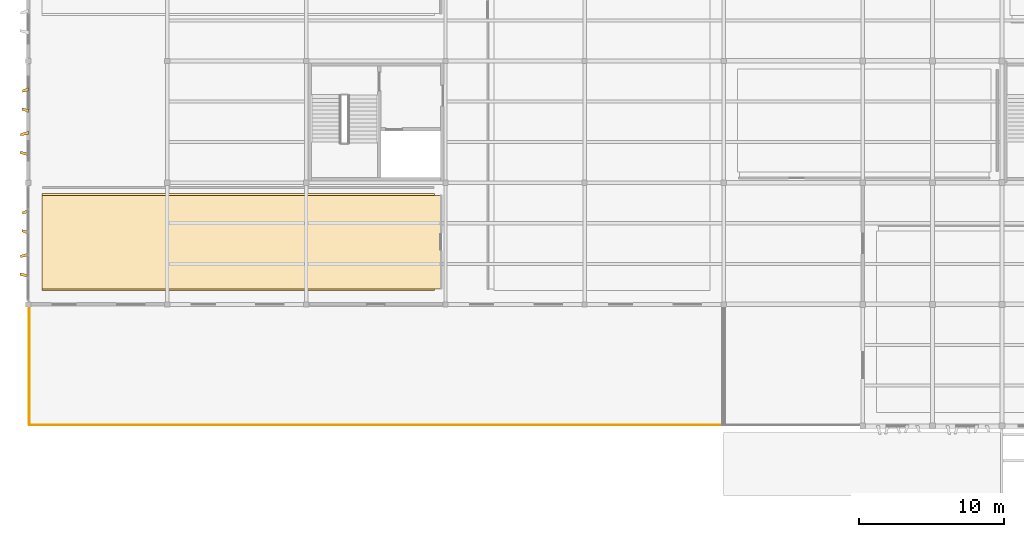
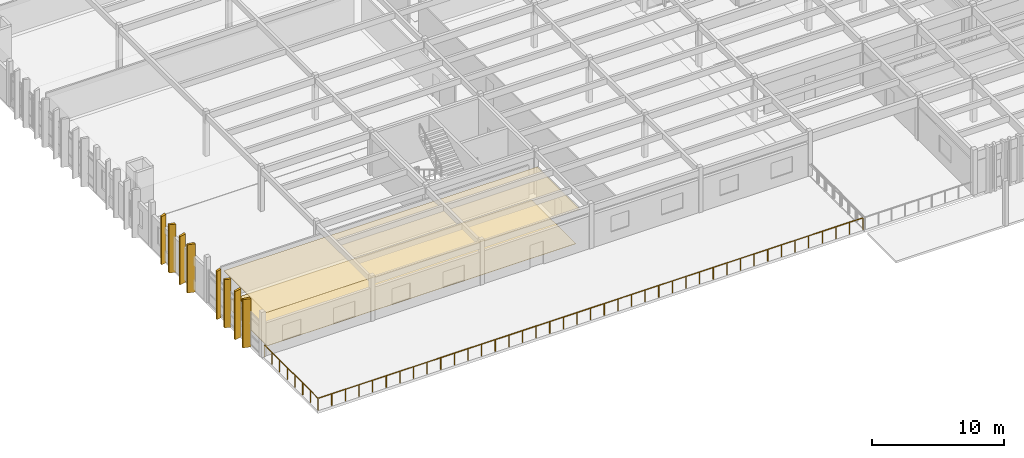
# One storey, part 49 of 61: 10 coverings, 2 railings.
"""IFC4 building model written with IfcOpenShell, lengths in metres."""

from ifc_helpers import new_model, si_unit, direction, frame, origin, origin_2d, place, context, subcontext, project, spatial, polyline, circle, outline, extrude, material, layer, layer_set, type_object, element, save


model = new_model("IFC4")

# Units and contexts
model_context = context("Model", 3, precision=1e-05, world=origin(), true_north=direction((0.0, 1.0)))
body_context = subcontext(model_context, "Body", "Model", "MODEL_VIEW")
ifc_project = project(units=[si_unit("LENGTHUNIT", "METRE"), si_unit("AREAUNIT", "SQUARE_METRE"), si_unit("VOLUMEUNIT", "CUBIC_METRE"), si_unit("PLANEANGLEUNIT", "RADIAN"), si_unit("MASSUNIT", "GRAM", prefix="KILO")], contexts=[model_context])

# Site, building, storey
site_placement = place(None, origin())
site = spatial("IfcSite", under=ifc_project, at=site_placement, CompositionType="ELEMENT")
building_placement = place(site_placement, origin())
building = spatial("IfcBuilding", under=site, at=building_placement, Name="Kolvemor Railside Polytechnic", CompositionType="ELEMENT")
storey_placement = place(building_placement, frame((0.0, 0.0, 10.199951171875)))
storey = spatial("IfcBuildingStorey", under=building, at=storey_placement, Name="L02", CompositionType="ELEMENT", Elevation=10.199951171875)

# Coverings
ifc_material_1 = material(Name="Perforated acoustic mineral-fibre and timber-slat ceiling", Category="wood")
ifc_layer_1 = layer(ifc_material_1, 0.034912109375, Name="COV-CEIL-3")
ifc_layer_set_1 = layer_set([ifc_layer_1], Name="Perforated acoustic mineral-fibre and timber-slat ceiling")
covering_type_1 = type_object("IfcCoveringType", Name="COV-CEIL-3", PredefinedType="CEILING", material=ifc_layer_set_1)
covering_1_placement = place(storey_placement, frame((0.0, 0.0, 2.9951171875)))
element("IfcCovering", 1, at=covering_1_placement, inside=storey, type_object=covering_type_1, Name="Seminar Room 201 Acoustic Ceiling", PredefinedType="CEILING", context=body_context, shape_type="SweptSolid", body=[
    extrude(outline(polyline([(0.949951171875, 14.280029296875), (28.47998046875, 14.280029296875), (28.47998046875, 20.719970703125), (0.949951171875, 20.719970703125), (0.949951171875, 14.280029296875)])), origin(), (0.0, 0.0, 1.0), 0.034912109375),
])
ifc_material_2 = material(Name="Champagne-bronze PVDF-anodised marine aluminium 5052-H32", Category="aluminium")
ifc_layer_2 = layer(ifc_material_2, 0.179931640625, Name="COV-FIN-CHAMP")
ifc_layer_set_2 = layer_set([ifc_layer_2], Name="Champagne-bronze PVDF-anodised marine aluminium 5052-H32")
covering_type_2 = type_object("IfcCoveringType", Name="COV-FIN-CHAMP", PredefinedType="CLADDING", material=ifc_layer_set_2)
covering_2_placement = place(storey_placement, frame((0.0, 0.0, -0.280029296875)))
element("IfcCovering", 2, at=covering_2_placement, inside=storey, type_object=covering_type_2, Name="Pleated Solar Fin L02-0076", PredefinedType="CLADDING", context=body_context, shape_type="SweptSolid", body=[
    extrude(outline(polyline([(0.034912109375, 15.034912109375), (0.034912109375, 15.264892578125), (-0.56396484375, 15.3701171875), (-0.56396484375, 15.2099609375), (0.034912109375, 15.034912109375)])), origin(), (0.0, 0.0, 1.0), 4.47998046875),
])
covering_3_placement = place(storey_placement, frame((0.0, 0.0, -0.280029296875)))
element("IfcCovering", 3, at=covering_3_placement, inside=storey, type_object=covering_type_2, Name="Pleated Solar Fin L02-0077", PredefinedType="CLADDING", context=body_context, shape_type="SweptSolid", body=[
    extrude(outline(polyline([(0.034912109375, 16.534912109375), (0.034912109375, 16.764892578125), (-0.528076171875, 16.590087890625), (-0.528076171875, 16.429931640625), (0.034912109375, 16.534912109375)])), origin(), (0.0, 0.0, 1.0), 4.47998046875),
])
covering_4_placement = place(storey_placement, frame((0.0, 0.0, -0.280029296875)))
element("IfcCovering", 4, at=covering_4_placement, inside=storey, type_object=covering_type_2, Name="Pleated Solar Fin L02-0078", PredefinedType="CLADDING", context=body_context, shape_type="SweptSolid", body=[
    extrude(outline(polyline([(0.034912109375, 18.034912109375), (0.034912109375, 18.264892578125), (-0.44189453125, 18.3701171875), (-0.44189453125, 18.2099609375), (0.034912109375, 18.034912109375)])), origin(), (0.0, 0.0, 1.0), 4.47998046875),
])
covering_5_placement = place(storey_placement, frame((0.0, 0.0, -0.280029296875)))
element("IfcCovering", 5, at=covering_5_placement, inside=storey, type_object=covering_type_2, Name="Pleated Solar Fin L02-0079", PredefinedType="CLADDING", context=body_context, shape_type="SweptSolid", body=[
    extrude(outline(polyline([(0.034912109375, 19.534912109375), (0.034912109375, 19.764892578125), (-0.406005859375, 19.590087890625), (-0.406005859375, 19.429931640625), (0.034912109375, 19.534912109375)])), origin(), (0.0, 0.0, 1.0), 4.47998046875),
])
covering_6_placement = place(storey_placement, frame((0.0, 0.0, -0.280029296875)))
element("IfcCovering", 6, at=covering_6_placement, inside=storey, type_object=covering_type_2, Name="Pleated Solar Fin L02-0101", PredefinedType="CLADDING", context=body_context, shape_type="SweptSolid", body=[
    extrude(outline(polyline([(0.034912109375, 23.43505859375), (0.034912109375, 23.6650390625), (-0.56396484375, 23.77001953125), (-0.56396484375, 23.610107421875), (0.034912109375, 23.43505859375)])), origin(), (0.0, 0.0, 1.0), 4.47998046875),
])
covering_7_placement = place(storey_placement, frame((0.0, 0.0, -0.280029296875)))
element("IfcCovering", 7, at=covering_7_placement, inside=storey, type_object=covering_type_2, Name="Pleated Solar Fin L02-0102", PredefinedType="CLADDING", context=body_context, shape_type="SweptSolid", body=[
    extrude(outline(polyline([(0.034912109375, 24.93505859375), (0.034912109375, 25.1650390625), (-0.528076171875, 24.989990234375), (-0.528076171875, 24.830078125), (0.034912109375, 24.93505859375)])), origin(), (0.0, 0.0, 1.0), 4.47998046875),
])
covering_8_placement = place(storey_placement, frame((0.0, 0.0, -0.280029296875)))
element("IfcCovering", 8, at=covering_8_placement, inside=storey, type_object=covering_type_2, Name="Pleated Solar Fin L02-0103", PredefinedType="CLADDING", context=body_context, shape_type="SweptSolid", body=[
    extrude(outline(polyline([(0.034912109375, 26.43505859375), (0.034912109375, 26.6650390625), (-0.44189453125, 26.77001953125), (-0.44189453125, 26.610107421875), (0.034912109375, 26.43505859375)])), origin(), (0.0, 0.0, 1.0), 4.47998046875),
])
covering_9_placement = place(storey_placement, frame((0.0, 0.0, -0.280029296875)))
element("IfcCovering", 9, at=covering_9_placement, inside=storey, type_object=covering_type_2, Name="Pleated Solar Fin L02-0104", PredefinedType="CLADDING", context=body_context, shape_type="SweptSolid", body=[
    extrude(outline(polyline([(0.034912109375, 27.93505859375), (0.034912109375, 28.1650390625), (-0.406005859375, 27.989990234375), (-0.406005859375, 27.830078125), (0.034912109375, 27.93505859375)])), origin(), (0.0, 0.0, 1.0), 4.47998046875),
])
ifc_material_3 = material(Name="Polished coral-aggregate terrazzo and laboratory epoxy flooring")
ifc_layer_3 = layer(ifc_material_3, 0.030029296875, Name="COV-FLR-3")
ifc_layer_set_3 = layer_set([ifc_layer_3], Name="Polished coral-aggregate terrazzo and laboratory epoxy flooring")
covering_type_3 = type_object("IfcCoveringType", Name="COV-FLR-3", PredefinedType="FLOORING", material=ifc_layer_set_3)
covering_10_placement = place(storey_placement, origin())
element("IfcCovering", 10, at=covering_10_placement, inside=storey, type_object=covering_type_3, Name="Seminar Room 201 Floor Finish", PredefinedType="FLOORING", context=body_context, shape_type="SweptSolid", body=[
    extrude(outline(polyline([(0.949951171875, 14.14990234375), (28.050048828125, 14.14990234375), (28.050048828125, 20.85009765625), (0.949951171875, 20.85009765625), (0.949951171875, 14.14990234375)])), origin(), (0.0, 0.0, 1.0), 0.030029296875),
])

# Railings
ifc_material_4 = material(Name="AISI 316 marine stainless-steel balustrade guard", Category="steel")
railing_type = type_object("IfcRailingType", Name="RLG-GUARD-1120", PredefinedType="BALUSTRADE", material=ifc_material_4)
railing_1_placement = place(storey_placement, frame((0.080078125, 4.8798828125, 0.0)))
element("IfcRailing", 11, at=railing_1_placement, inside=storey, type_object=railing_type, Name="Corner Study Terrace V3-S S Guard GR-054", PredefinedType="BALUSTRADE", context=body_context, shape_type="SweptSolid", body=[
    extrude(circle(Radius=0.02392578125, at=origin_2d()), frame((0.054931640625, 0.0, 1.09619140625), z_axis=(1.0, 0.0, 0.0), x_axis=(0.0, 1.0, 0.0)), (0.0, 0.0, 1.0), 47.729736328125),
    extrude(circle(Radius=0.02099609375, at=origin_2d()), origin(), (0.0, 0.0, 1.0), 1.05712890625),
    extrude(circle(Radius=0.02099609375, at=origin_2d()), frame((1.196044921875, 0.0, 0.0)), (0.0, 0.0, 1.0), 1.05712890625),
    extrude(circle(Radius=0.02099609375, at=origin_2d()), frame((2.39208984375, 0.0, 0.0)), (0.0, 0.0, 1.0), 1.05712890625),
    extrude(circle(Radius=0.02099609375, at=origin_2d()), frame((3.587890625, 0.0, 0.0)), (0.0, 0.0, 1.0), 1.05712890625),
    extrude(circle(Radius=0.02099609375, at=origin_2d()), frame((4.783935546875, 0.0, 0.0)), (0.0, 0.0, 1.0), 1.05712890625),
    extrude(circle(Radius=0.02099609375, at=origin_2d()), frame((5.97998046875, 0.0, 0.0)), (0.0, 0.0, 1.0), 1.05712890625),
    extrude(circle(Radius=0.02099609375, at=origin_2d()), frame((7.176025390625, 0.0, 0.0)), (0.0, 0.0, 1.0), 1.05712890625),
    extrude(circle(Radius=0.02099609375, at=origin_2d()), frame((8.3720703125, 0.0, 0.0)), (0.0, 0.0, 1.0), 1.05712890625),
    extrude(circle(Radius=0.02099609375, at=origin_2d()), frame((9.56787109375, 0.0, 0.0)), (0.0, 0.0, 1.0), 1.05712890625),
    extrude(circle(Radius=0.02099609375, at=origin_2d()), frame((10.763916015625, 0.0, 0.0)), (0.0, 0.0, 1.0), 1.05712890625),
    extrude(circle(Radius=0.02099609375, at=origin_2d()), frame((11.9599609375, 0.0, 0.0)), (0.0, 0.0, 1.0), 1.05712890625),
    extrude(circle(Radius=0.02099609375, at=origin_2d()), frame((13.156005859375, 0.0, 0.0)), (0.0, 0.0, 1.0), 1.05712890625),
    extrude(circle(Radius=0.02099609375, at=origin_2d()), frame((14.35205078125, 0.0, 0.0)), (0.0, 0.0, 1.0), 1.05712890625),
    extrude(circle(Radius=0.02099609375, at=origin_2d()), frame((15.5478515625, 0.0, 0.0)), (0.0, 0.0, 1.0), 1.05712890625),
    extrude(circle(Radius=0.02099609375, at=origin_2d()), frame((16.743896484375, 0.0, 0.0)), (0.0, 0.0, 1.0), 1.05712890625),
    extrude(circle(Radius=0.02099609375, at=origin_2d()), frame((17.93994140625, 0.0, 0.0)), (0.0, 0.0, 1.0), 1.05712890625),
    extrude(circle(Radius=0.02099609375, at=origin_2d()), frame((19.135986328125, 0.0, 0.0)), (0.0, 0.0, 1.0), 1.05712890625),
    extrude(circle(Radius=0.02099609375, at=origin_2d()), frame((20.33203125, 0.0, 0.0)), (0.0, 0.0, 1.0), 1.05712890625),
    extrude(circle(Radius=0.02099609375, at=origin_2d()), frame((21.52783203125, 0.0, 0.0)), (0.0, 0.0, 1.0), 1.05712890625),
    extrude(circle(Radius=0.02099609375, at=origin_2d()), frame((22.723876953125, 0.0, 0.0)), (0.0, 0.0, 1.0), 1.05712890625),
    extrude(circle(Radius=0.02099609375, at=origin_2d()), frame((23.919921875, 0.0, 0.0)), (0.0, 0.0, 1.0), 1.05712890625),
    extrude(circle(Radius=0.02099609375, at=origin_2d()), frame((25.115966796875, 0.0, 0.0)), (0.0, 0.0, 1.0), 1.05712890625),
    extrude(circle(Radius=0.02099609375, at=origin_2d()), frame((26.31201171875, 0.0, 0.0)), (0.0, 0.0, 1.0), 1.05712890625),
    extrude(circle(Radius=0.02099609375, at=origin_2d()), frame((27.5078125, 0.0, 0.0)), (0.0, 0.0, 1.0), 1.05712890625),
    extrude(circle(Radius=0.02099609375, at=origin_2d()), frame((28.703857421875, 0.0, 0.0)), (0.0, 0.0, 1.0), 1.05712890625),
    extrude(circle(Radius=0.02099609375, at=origin_2d()), frame((29.89990234375, 0.0, 0.0)), (0.0, 0.0, 1.0), 1.05712890625),
    extrude(circle(Radius=0.02099609375, at=origin_2d()), frame((31.095947265625, 0.0, 0.0)), (0.0, 0.0, 1.0), 1.05712890625),
    extrude(circle(Radius=0.02099609375, at=origin_2d()), frame((32.2919921875, 0.0, 0.0)), (0.0, 0.0, 1.0), 1.05712890625),
    extrude(circle(Radius=0.02099609375, at=origin_2d()), frame((33.48779296875, 0.0, 0.0)), (0.0, 0.0, 1.0), 1.05712890625),
    extrude(circle(Radius=0.02099609375, at=origin_2d()), frame((34.683837890625, 0.0, 0.0)), (0.0, 0.0, 1.0), 1.05712890625),
    extrude(circle(Radius=0.02099609375, at=origin_2d()), frame((35.8798828125, 0.0, 0.0)), (0.0, 0.0, 1.0), 1.05712890625),
    extrude(circle(Radius=0.02099609375, at=origin_2d()), frame((37.075927734375, 0.0, 0.0)), (0.0, 0.0, 1.0), 1.05712890625),
    extrude(circle(Radius=0.02099609375, at=origin_2d()), frame((38.27197265625, 0.0, 0.0)), (0.0, 0.0, 1.0), 1.05712890625),
    extrude(circle(Radius=0.02099609375, at=origin_2d()), frame((39.4677734375, 0.0, 0.0)), (0.0, 0.0, 1.0), 1.05712890625),
    extrude(circle(Radius=0.02099609375, at=origin_2d()), frame((40.663818359375, 0.0, 0.0)), (0.0, 0.0, 1.0), 1.05712890625),
    extrude(circle(Radius=0.02099609375, at=origin_2d()), frame((41.85986328125, 0.0, 0.0)), (0.0, 0.0, 1.0), 1.05712890625),
    extrude(circle(Radius=0.02099609375, at=origin_2d()), frame((43.055908203125, 0.0, 0.0)), (0.0, 0.0, 1.0), 1.05712890625),
    extrude(circle(Radius=0.02099609375, at=origin_2d()), frame((44.251953125, 0.0, 0.0)), (0.0, 0.0, 1.0), 1.05712890625),
    extrude(circle(Radius=0.02099609375, at=origin_2d()), frame((45.44775390625, 0.0, 0.0)), (0.0, 0.0, 1.0), 1.05712890625),
    extrude(circle(Radius=0.02099609375, at=origin_2d()), frame((46.643798828125, 0.0, 0.0)), (0.0, 0.0, 1.0), 1.05712890625),
    extrude(circle(Radius=0.02099609375, at=origin_2d()), frame((47.83984375, 0.0, 0.0)), (0.0, 0.0, 1.0), 1.05712890625),
])
railing_2_placement = place(storey_placement, frame((0.080078125, 13.06005859375, 0.0)))
element("IfcRailing", 12, at=railing_2_placement, inside=storey, type_object=railing_type, Name="Corner Study Terrace V3-S W Guard GR-056", PredefinedType="BALUSTRADE", context=body_context, shape_type="SweptSolid", body=[
    extrude(circle(Radius=0.02392578125, at=origin_2d()), frame((0.0, -0.054931640625, 1.09619140625), z_axis=(0.0, -1.0, 0.0), x_axis=(1.0, 0.0, 0.0)), (0.0, 0.0, 1.0), 8.070068359375),
    extrude(circle(Radius=0.02099609375, at=origin_2d()), origin(), (0.0, 0.0, 1.0), 1.05712890625),
    extrude(circle(Radius=0.02099609375, at=origin_2d()), frame((0.0, -1.168701171875, 0.0)), (0.0, 0.0, 1.0), 1.05712890625),
    extrude(circle(Radius=0.02099609375, at=origin_2d()), frame((0.0, -2.337158203125, 0.0)), (0.0, 0.0, 1.0), 1.05712890625),
    extrude(circle(Radius=0.02099609375, at=origin_2d()), frame((0.0, -3.505859375, 0.0)), (0.0, 0.0, 1.0), 1.05712890625),
    extrude(circle(Radius=0.02099609375, at=origin_2d()), frame((0.0, -4.67431640625, 0.0)), (0.0, 0.0, 1.0), 1.05712890625),
    extrude(circle(Radius=0.02099609375, at=origin_2d()), frame((0.0, -5.843017578125, 0.0)), (0.0, 0.0, 1.0), 1.05712890625),
    extrude(circle(Radius=0.02099609375, at=origin_2d()), frame((0.0, -7.011474609375, 0.0)), (0.0, 0.0, 1.0), 1.05712890625),
    extrude(circle(Radius=0.02099609375, at=origin_2d()), frame((0.0, -8.18017578125, 0.0)), (0.0, 0.0, 1.0), 1.05712890625),
])

save(model, "model.ifc")
